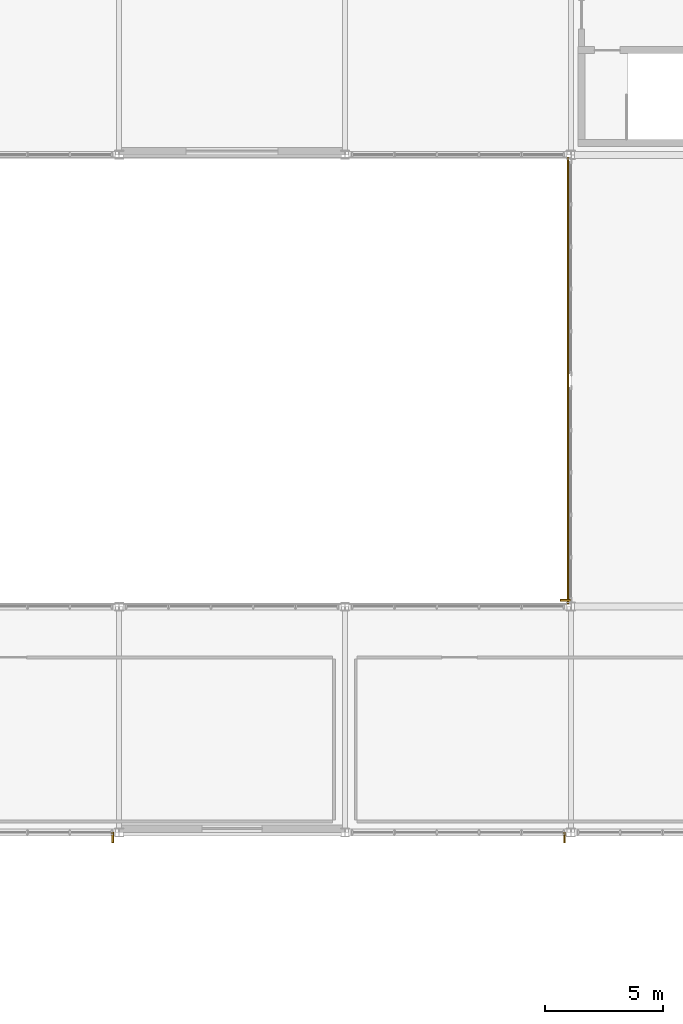
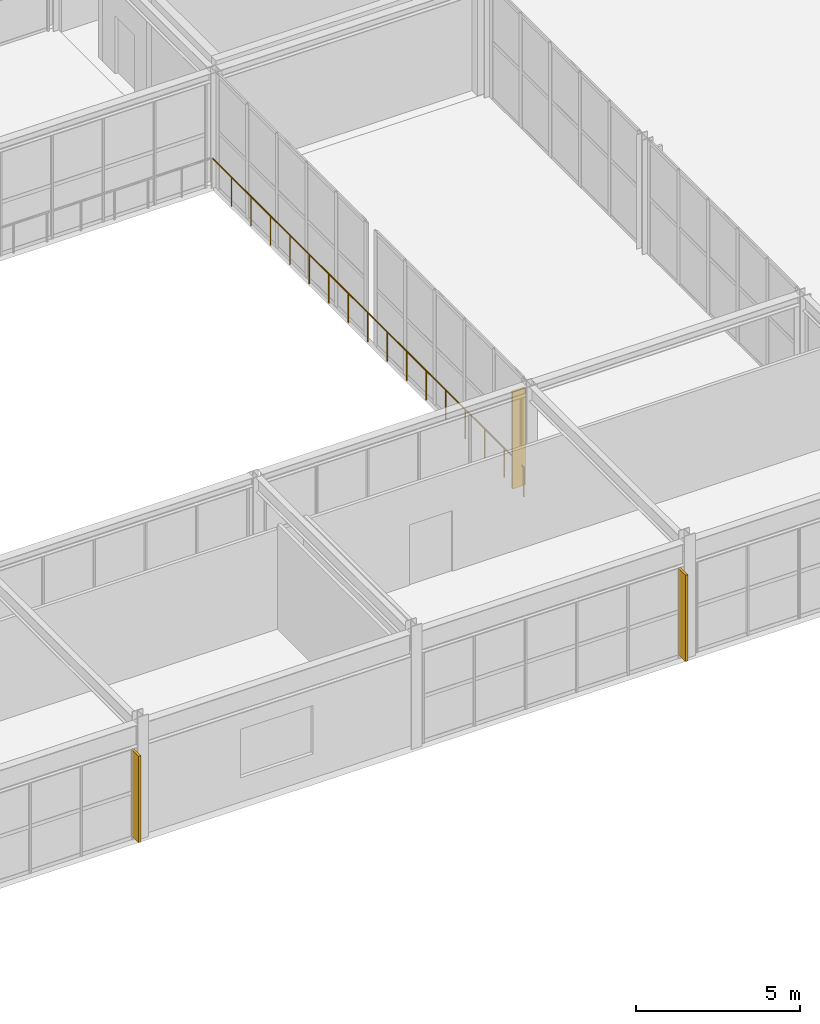
# One storey, part 163 of 170: 3 shading devices, 1 railing.
"""IFC4 building model written with IfcOpenShell, lengths in metres."""

from ifc_helpers import new_model, si_unit, direction, frame, origin, origin_2d, place, context, subcontext, project, spatial, rectangle, circle, extrude, material, type_object, element, save


model = new_model("IFC4")

# Units and contexts
model_context = context("Model", 3, precision=1e-05, world=origin(), true_north=direction((0.0, 1.0)))
body_context = subcontext(model_context, "Body", "Model", "MODEL_VIEW")
ifc_project = project(units=[si_unit("LENGTHUNIT", "METRE"), si_unit("AREAUNIT", "SQUARE_METRE"), si_unit("VOLUMEUNIT", "CUBIC_METRE"), si_unit("PLANEANGLEUNIT", "RADIAN"), si_unit("MASSUNIT", "GRAM", prefix="KILO")], contexts=[model_context])

# Site, building, storey
site_placement = place(None, origin())
site = spatial("IfcSite", under=ifc_project, at=site_placement, CompositionType="ELEMENT")
building_placement = place(site_placement, origin())
building = spatial("IfcBuilding", under=site, at=building_placement, Name="Coralgate Yard Interchange", CompositionType="ELEMENT")
storey_placement = place(building_placement, frame((0.0, 0.0, 6.0)))
storey = spatial("IfcBuildingStorey", under=building, at=storey_placement, Name="L01", CompositionType="ELEMENT", Elevation=6.0)

# Railing
ifc_material_1 = material(Name="Grade 316 marine stainless steel and toughened glass balustrade", Category="steel")
railing_type = type_object("IfcRailingType", Name="RLG-GD1100", PredefinedType="BALUSTRADE", material=ifc_material_1)
railing_placement = place(storey_placement, frame((124.679931640625, 48.1201171875, 0.0)))
element("IfcRailing", 1, at=railing_placement, inside=storey, type_object=railing_type, Name="L01 concourse mezzanine east bridge balustrade", PredefinedType="BALUSTRADE", context=body_context, shape_type="SweptSolid", body=[
    extrude(circle(Radius=0.02392578125, at=origin_2d()), frame((0.0, 0.0, 1.0810546875), z_axis=(0.0, 1.0, 0.0), x_axis=(-1.0, 0.0, 0.0)), (0.0, 0.0, 1.0), 18.9599609375),
    extrude(circle(Radius=0.02099609375, at=origin_2d()), origin(), (0.0, 0.0, 1.0), 1.056396484375),
    extrude(circle(Radius=0.02099609375, at=origin_2d()), frame((0.0, 1.18505859375, 0.0)), (0.0, 0.0, 1.0), 1.056396484375),
    extrude(circle(Radius=0.02099609375, at=origin_2d()), frame((0.0, 2.3701171875, 0.0)), (0.0, 0.0, 1.0), 1.056396484375),
    extrude(circle(Radius=0.02099609375, at=origin_2d()), frame((0.0, 3.554931640625, 0.0)), (0.0, 0.0, 1.0), 1.056396484375),
    extrude(circle(Radius=0.02099609375, at=origin_2d()), frame((0.0, 4.739990234375, 0.0)), (0.0, 0.0, 1.0), 1.056396484375),
    extrude(circle(Radius=0.02099609375, at=origin_2d()), frame((0.0, 5.925048828125, 0.0)), (0.0, 0.0, 1.0), 1.056396484375),
    extrude(circle(Radius=0.02099609375, at=origin_2d()), frame((0.0, 7.10986328125, 0.0)), (0.0, 0.0, 1.0), 1.056396484375),
    extrude(circle(Radius=0.02099609375, at=origin_2d()), frame((0.0, 8.294921875, 0.0)), (0.0, 0.0, 1.0), 1.056396484375),
    extrude(circle(Radius=0.02099609375, at=origin_2d()), frame((0.0, 9.47998046875, 0.0)), (0.0, 0.0, 1.0), 1.056396484375),
    extrude(circle(Radius=0.02099609375, at=origin_2d()), frame((0.0, 10.6650390625, 0.0)), (0.0, 0.0, 1.0), 1.056396484375),
    extrude(circle(Radius=0.02099609375, at=origin_2d()), frame((0.0, 11.85009765625, 0.0)), (0.0, 0.0, 1.0), 1.056396484375),
    extrude(circle(Radius=0.02099609375, at=origin_2d()), frame((0.0, 13.034912109375, 0.0)), (0.0, 0.0, 1.0), 1.056396484375),
    extrude(circle(Radius=0.02099609375, at=origin_2d()), frame((0.0, 14.219970703125, 0.0)), (0.0, 0.0, 1.0), 1.056396484375),
    extrude(circle(Radius=0.02099609375, at=origin_2d()), frame((0.0, 15.405029296875, 0.0)), (0.0, 0.0, 1.0), 1.056396484375),
    extrude(circle(Radius=0.02099609375, at=origin_2d()), frame((0.0, 16.58984375, 0.0)), (0.0, 0.0, 1.0), 1.056396484375),
    extrude(circle(Radius=0.02099609375, at=origin_2d()), frame((0.0, 17.77490234375, 0.0)), (0.0, 0.0, 1.0), 1.056396484375),
    extrude(circle(Radius=0.02099609375, at=origin_2d()), frame((0.0, 18.9599609375, 0.0)), (0.0, 0.0, 1.0), 1.056396484375),
])

# Shading devices
ifc_material_2 = material(Name="Anodised coastal aluminium vertical brise-soleil blade", Category="aluminium")
shading_device_type = type_object("IfcShadingDeviceType", Name="SHD-BS1", PredefinedType="SHUTTER", material=ifc_material_2)
for number, where, z_axis, x_axis, name in (
    (2, (105.330078125, 38.179931640625, 0.10009765625), (0.0, 0.0, 1.0), (-1.0, 0.0, 0.0), "L01 coastal aluminium brise-soleil fin S-10-4"),
    (3, (124.530029296875, 38.179931640625, 0.10009765625), (0.0, 0.0, 1.0), (-1.0, 0.0, 0.0), "L01 coastal aluminium brise-soleil fin S-12-4"),
):
    element("IfcShadingDevice", number, at=place(storey_placement, frame(where, z_axis=z_axis, x_axis=x_axis)), inside=storey, type_object=shading_device_type, Name=name, PredefinedType="SHUTTER", context=body_context, shape_type="SweptSolid", body=[
        extrude(rectangle(XDim=0.080078125, YDim=0.449951171875, at=origin_2d()), origin(), (0.0, 0.0, 1.0), 3.209228515625),
    ])
shading_device_placement = place(storey_placement, frame((124.580078125, 48.27001953125, 0.324951171875), z_axis=(0.0, 0.0, 1.0), x_axis=(0.0, 1.0, 0.0)))
element("IfcShadingDevice", 4, at=shading_device_placement, inside=storey, type_object=shading_device_type, Name="L01 coastal aluminium brise-soleil fin W-13-5", PredefinedType="SHUTTER", context=body_context, shape_type="SweptSolid", body=[
    extrude(rectangle(XDim=0.080078125, YDim=0.449951171875, at=origin_2d()), origin(), (0.0, 0.0, 1.0), 3.60009765625),
])

save(model, "model.ifc")
